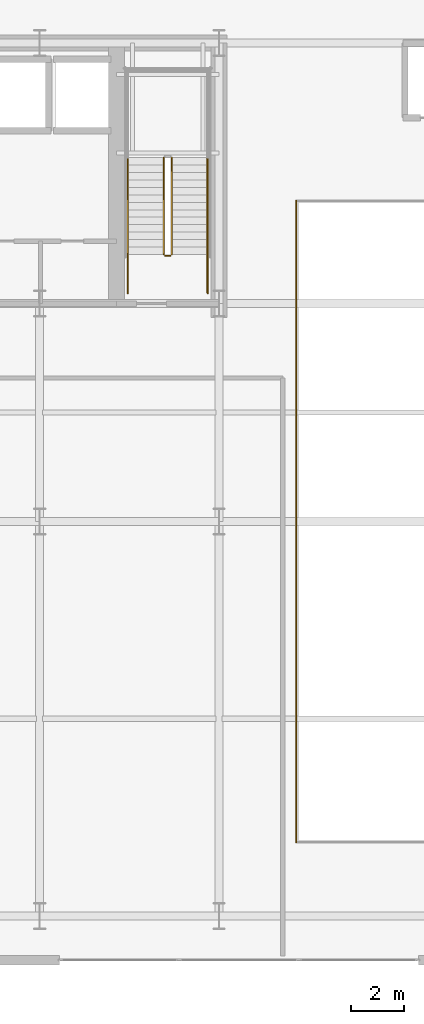
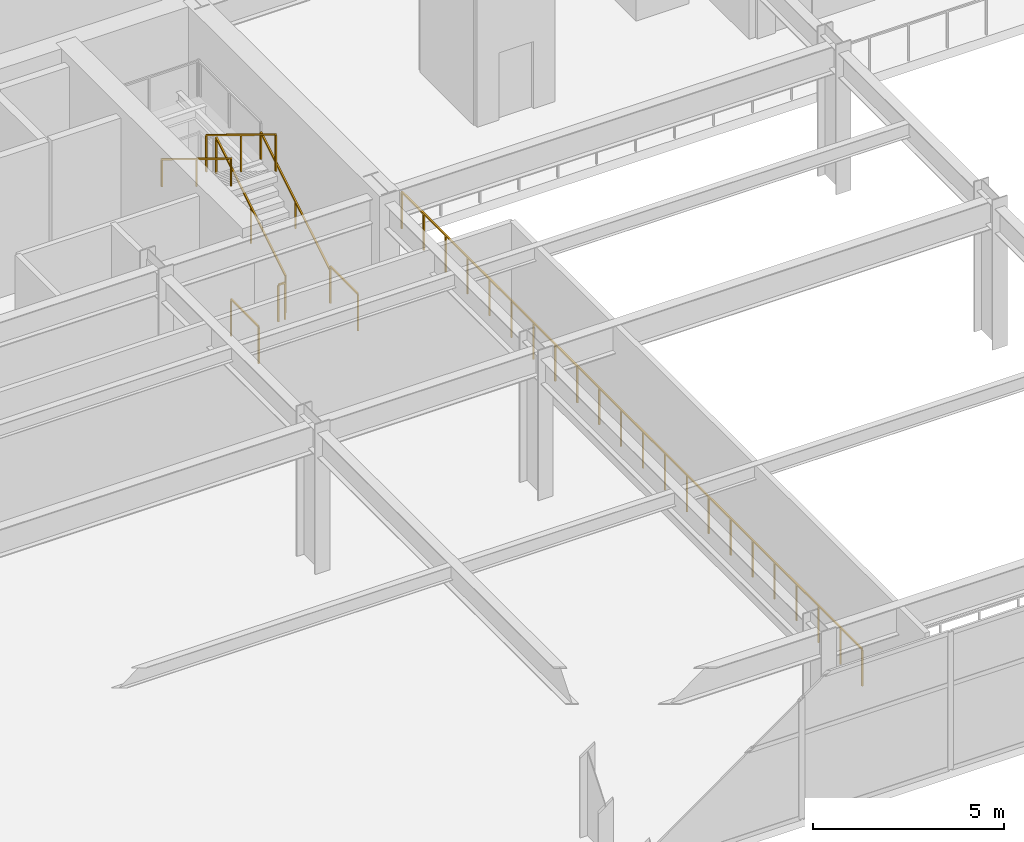
# One storey, part 19 of 25: 8 railings.
"""IFC4 building model written with IfcOpenShell, lengths in metres."""

from ifc_helpers import new_model, si_unit, direction, frame, origin, origin_2d, place, context, subcontext, project, spatial, rectangle, extrude, material, type_object, element, save


model = new_model("IFC4")

# Units and contexts
model_context = context("Model", 3, precision=1e-05, world=origin(), true_north=direction((0.0, 1.0)))
body_context = subcontext(model_context, "Body", "Model", "MODEL_VIEW")
ifc_project = project(units=[si_unit("LENGTHUNIT", "METRE"), si_unit("AREAUNIT", "SQUARE_METRE"), si_unit("VOLUMEUNIT", "CUBIC_METRE"), si_unit("PLANEANGLEUNIT", "RADIAN"), si_unit("MASSUNIT", "GRAM", prefix="KILO")], contexts=[model_context])

# Site, building, storey
site_placement = place(None, origin())
site = spatial("IfcSite", under=ifc_project, at=site_placement, CompositionType="ELEMENT")
building_placement = place(site_placement, origin())
building = spatial("IfcBuilding", under=site, at=building_placement, Name="Haevon Station Towers", CompositionType="ELEMENT")
storey_placement = place(building_placement, frame((0.0, 0.0, 6.0)))
storey = spatial("IfcBuildingStorey", under=building, at=storey_placement, Name="L01", CompositionType="ELEMENT", Elevation=6.0)

# Railings
ifc_material = material(Name="Steel S355", Category="steel")
railing_type_1 = type_object("IfcRailingType", Name="BAL-ATR1200", PredefinedType="BALUSTRADE", material=ifc_material)
railing_1_placement = place(storey_placement, frame((53.90185546875, 42.069091796875, 0.0)))
element("IfcRailing", 1, at=railing_1_placement, inside=storey, type_object=railing_type_1, Name="L01 Atrium Void Balustrade 4", PredefinedType="BALUSTRADE", context=body_context, shape_type="SweptSolid", body=[
    extrude(rectangle(XDim=0.048095703125, YDim=0.048095703125, at=origin_2d()), frame((0.0, 0.0, 1.17578125), z_axis=(0.0, -1.0, 0.0), x_axis=(1.0, 0.0, 0.0)), (0.0, 0.0, 1.0), 24.13818359375),
    extrude(rectangle(XDim=0.0419921875, YDim=0.0419921875, at=origin_2d()), origin(), (0.0, 0.0, 1.0), 1.15185546875),
    extrude(rectangle(XDim=0.0419921875, YDim=0.0419921875, at=origin_2d()), frame((0.0, -1.1494140625, 0.0)), (0.0, 0.0, 1.0), 1.15185546875),
    extrude(rectangle(XDim=0.0419921875, YDim=0.0419921875, at=origin_2d()), frame((0.0, -2.298828125, 0.0)), (0.0, 0.0, 1.0), 1.15185546875),
    extrude(rectangle(XDim=0.0419921875, YDim=0.0419921875, at=origin_2d()), frame((0.0, -3.4482421875, 0.0)), (0.0, 0.0, 1.0), 1.15185546875),
    extrude(rectangle(XDim=0.0419921875, YDim=0.0419921875, at=origin_2d()), frame((0.0, -4.59765625, 0.0)), (0.0, 0.0, 1.0), 1.15185546875),
    extrude(rectangle(XDim=0.0419921875, YDim=0.0419921875, at=origin_2d()), frame((0.0, -5.7470703125, 0.0)), (0.0, 0.0, 1.0), 1.15185546875),
    extrude(rectangle(XDim=0.0419921875, YDim=0.0419921875, at=origin_2d()), frame((0.0, -6.896728515625, 0.0)), (0.0, 0.0, 1.0), 1.15185546875),
    extrude(rectangle(XDim=0.0419921875, YDim=0.0419921875, at=origin_2d()), frame((0.0, -8.046142578125, 0.0)), (0.0, 0.0, 1.0), 1.15185546875),
    extrude(rectangle(XDim=0.0419921875, YDim=0.0419921875, at=origin_2d()), frame((0.0, -9.195556640625, 0.0)), (0.0, 0.0, 1.0), 1.15185546875),
    extrude(rectangle(XDim=0.0419921875, YDim=0.0419921875, at=origin_2d()), frame((0.0, -10.344970703125, 0.0)), (0.0, 0.0, 1.0), 1.15185546875),
    extrude(rectangle(XDim=0.0419921875, YDim=0.0419921875, at=origin_2d()), frame((0.0, -11.494384765625, 0.0)), (0.0, 0.0, 1.0), 1.15185546875),
    extrude(rectangle(XDim=0.0419921875, YDim=0.0419921875, at=origin_2d()), frame((0.0, -12.643798828125, 0.0)), (0.0, 0.0, 1.0), 1.15185546875),
    extrude(rectangle(XDim=0.0419921875, YDim=0.0419921875, at=origin_2d()), frame((0.0, -13.793212890625, 0.0)), (0.0, 0.0, 1.0), 1.15185546875),
    extrude(rectangle(XDim=0.0419921875, YDim=0.0419921875, at=origin_2d()), frame((0.0, -14.942626953125, 0.0)), (0.0, 0.0, 1.0), 1.15185546875),
    extrude(rectangle(XDim=0.0419921875, YDim=0.0419921875, at=origin_2d()), frame((0.0, -16.092041015625, 0.0)), (0.0, 0.0, 1.0), 1.15185546875),
    extrude(rectangle(XDim=0.0419921875, YDim=0.0419921875, at=origin_2d()), frame((0.0, -17.241455078125, 0.0)), (0.0, 0.0, 1.0), 1.15185546875),
    extrude(rectangle(XDim=0.0419921875, YDim=0.0419921875, at=origin_2d()), frame((0.0, -18.39111328125, 0.0)), (0.0, 0.0, 1.0), 1.15185546875),
    extrude(rectangle(XDim=0.0419921875, YDim=0.0419921875, at=origin_2d()), frame((0.0, -19.54052734375, 0.0)), (0.0, 0.0, 1.0), 1.15185546875),
    extrude(rectangle(XDim=0.0419921875, YDim=0.0419921875, at=origin_2d()), frame((0.0, -20.68994140625, 0.0)), (0.0, 0.0, 1.0), 1.15185546875),
    extrude(rectangle(XDim=0.0419921875, YDim=0.0419921875, at=origin_2d()), frame((0.0, -21.83935546875, 0.0)), (0.0, 0.0, 1.0), 1.15185546875),
    extrude(rectangle(XDim=0.0419921875, YDim=0.0419921875, at=origin_2d()), frame((0.0, -22.98876953125, 0.0)), (0.0, 0.0, 1.0), 1.15185546875),
    extrude(rectangle(XDim=0.0419921875, YDim=0.0419921875, at=origin_2d()), frame((0.0, -24.13818359375, 0.0)), (0.0, 0.0, 1.0), 1.15185546875),
])
railing_type_2 = type_object("IfcRailingType", Name="GRD-STR1200", PredefinedType="GUARDRAIL", material=ifc_material)
railing_2_placement = place(storey_placement, frame((49.219970703125, 40.050048828125, 0.17138671875)))
element("IfcRailing", 2, at=railing_2_placement, inside=storey, type_object=railing_type_2, Name="L01 ST2 Stair Guard 1", PredefinedType="GUARDRAIL", context=body_context, shape_type="SweptSolid", body=[
    extrude(rectangle(XDim=0.048095703125, YDim=0.048095703125, at=origin_2d()), frame((0.0, 0.0, 1.17578125), z_axis=(0.0, 0.852850264322, 0.5221555579), x_axis=(-1.0, 0.0, 0.0)), (0.0, 0.0, 1.0), 4.267822265625),
    extrude(rectangle(XDim=0.0419921875, YDim=0.0419921875, at=origin_2d()), origin(), (0.0, 0.0, 1.0), 1.15185546875),
    extrude(rectangle(XDim=0.0419921875, YDim=0.0419921875, at=origin_2d()), frame((0.0, 1.81982421875, 1.1142578125)), (0.0, 0.0, 1.0), 1.15185546875),
    extrude(rectangle(XDim=0.0419921875, YDim=0.0419921875, at=origin_2d()), frame((0.0, 3.639892578125, 2.228515625)), (0.0, 0.0, 1.0), 1.15185546875),
])
railing_3_placement = place(storey_placement, frame((48.919921875, 43.68994140625, 2.571533203125)))
element("IfcRailing", 3, at=railing_3_placement, inside=storey, type_object=railing_type_2, Name="L01 ST2 Stair Guard 6", PredefinedType="GUARDRAIL", context=body_context, shape_type="SweptSolid", body=[
    extrude(rectangle(XDim=0.048095703125, YDim=0.048095703125, at=origin_2d()), frame((0.0, 0.0, 1.17578125), z_axis=(0.0, -0.852850264322, 0.5221555579), x_axis=(1.0, 0.0, 0.0)), (0.0, 0.0, 1.0), 4.267822265625),
    extrude(rectangle(XDim=0.0419921875, YDim=0.0419921875, at=origin_2d()), origin(), (0.0, 0.0, 1.0), 1.15185546875),
    extrude(rectangle(XDim=0.0419921875, YDim=0.0419921875, at=origin_2d()), frame((0.0, -1.81982421875, 1.1142578125)), (0.0, 0.0, 1.0), 1.15185546875),
    extrude(rectangle(XDim=0.0419921875, YDim=0.0419921875, at=origin_2d()), frame((0.0, -3.639892578125, 2.228515625)), (0.0, 0.0, 1.0), 1.15185546875),
])
railing_4_placement = place(storey_placement, frame((49.169921875, 40.0, 0.0)))
element("IfcRailing", 4, at=railing_4_placement, inside=storey, type_object=railing_type_2, Name="L01 ST2 Stair Guard 7", PredefinedType="GUARDRAIL", context=body_context, shape_type="SweptSolid", body=[
    extrude(rectangle(XDim=0.048095703125, YDim=0.048095703125, at=origin_2d()), frame((0.0, 0.0, 1.17578125), z_axis=(-1.0, 0.0, 0.0), x_axis=(0.0, -1.0, 0.0)), (0.0, 0.0, 1.0), 0.199951171875),
    extrude(rectangle(XDim=0.0419921875, YDim=0.0419921875, at=origin_2d()), origin(), (0.0, 0.0, 1.0), 1.15185546875),
    extrude(rectangle(XDim=0.0419921875, YDim=0.0419921875, at=origin_2d()), frame((-0.199951171875, 0.0, 0.0)), (0.0, 0.0, 1.0), 1.15185546875),
])
for number, where, name in (
    (5, (50.570068359375, 38.60009765625, 0.0), "L01 ST2 Stair Guard 8"),
    (6, (47.570068359375, 38.60009765625, 0.0), "L01 ST2 Stair Guard 9"),
):
    element("IfcRailing", number, at=place(storey_placement, frame(where)), inside=storey, type_object=railing_type_2, Name=name, PredefinedType="GUARDRAIL", context=body_context, shape_type="SweptSolid", body=[
        extrude(rectangle(XDim=0.048095703125, YDim=0.048095703125, at=origin_2d()), frame((0.0, 0.0, 1.17578125), z_axis=(0.0, 1.0, 0.0), x_axis=(-1.0, 0.0, 0.0)), (0.0, 0.0, 1.0), 1.449951171875),
        extrude(rectangle(XDim=0.0419921875, YDim=0.0419921875, at=origin_2d()), origin(), (0.0, 0.0, 1.0), 1.15185546875),
        extrude(rectangle(XDim=0.0419921875, YDim=0.0419921875, at=origin_2d()), frame((0.0, 1.449951171875, 0.0)), (0.0, 0.0, 1.0), 1.15185546875),
    ])
railing_type_3 = type_object("IfcRailingType", Name="HND-STR900", PredefinedType="HANDRAIL", material=ifc_material)
railing_5_placement = place(storey_placement, frame((50.570068359375, 40.050048828125, 0.17138671875)))
element("IfcRailing", 7, at=railing_5_placement, inside=storey, type_object=railing_type_3, Name="L01 ST2 Stair Handrail 1", PredefinedType="HANDRAIL", context=body_context, shape_type="SweptSolid", body=[
    extrude(rectangle(XDim=0.048095703125, YDim=0.048095703125, at=origin_2d()), frame((0.0, 0.0, 0.8759765625), z_axis=(0.0, 0.852850264322, 0.5221555579), x_axis=(-1.0, 0.0, 0.0)), (0.0, 0.0, 1.0), 4.267822265625),
    extrude(rectangle(XDim=0.0419921875, YDim=0.0419921875, at=origin_2d()), origin(), (0.0, 0.0, 1.0), 0.851806640625),
    extrude(rectangle(XDim=0.0419921875, YDim=0.0419921875, at=origin_2d()), frame((0.0, 1.81982421875, 1.1142578125)), (0.0, 0.0, 1.0), 0.851806640625),
    extrude(rectangle(XDim=0.0419921875, YDim=0.0419921875, at=origin_2d()), frame((0.0, 3.639892578125, 2.228515625)), (0.0, 0.0, 1.0), 0.851806640625),
])
railing_6_placement = place(storey_placement, frame((47.570068359375, 43.68994140625, 2.571533203125)))
element("IfcRailing", 8, at=railing_6_placement, inside=storey, type_object=railing_type_3, Name="L01 ST2 Stair Handrail 2", PredefinedType="HANDRAIL", context=body_context, shape_type="SweptSolid", body=[
    extrude(rectangle(XDim=0.048095703125, YDim=0.048095703125, at=origin_2d()), frame((0.0, 0.0, 0.8759765625), z_axis=(0.0, -0.852850264322, 0.5221555579), x_axis=(1.0, 0.0, 0.0)), (0.0, 0.0, 1.0), 4.267822265625),
    extrude(rectangle(XDim=0.0419921875, YDim=0.0419921875, at=origin_2d()), origin(), (0.0, 0.0, 1.0), 0.851806640625),
    extrude(rectangle(XDim=0.0419921875, YDim=0.0419921875, at=origin_2d()), frame((0.0, -1.81982421875, 1.1142578125)), (0.0, 0.0, 1.0), 0.851806640625),
    extrude(rectangle(XDim=0.0419921875, YDim=0.0419921875, at=origin_2d()), frame((0.0, -3.639892578125, 2.228515625)), (0.0, 0.0, 1.0), 0.851806640625),
])

save(model, "model.ifc")
